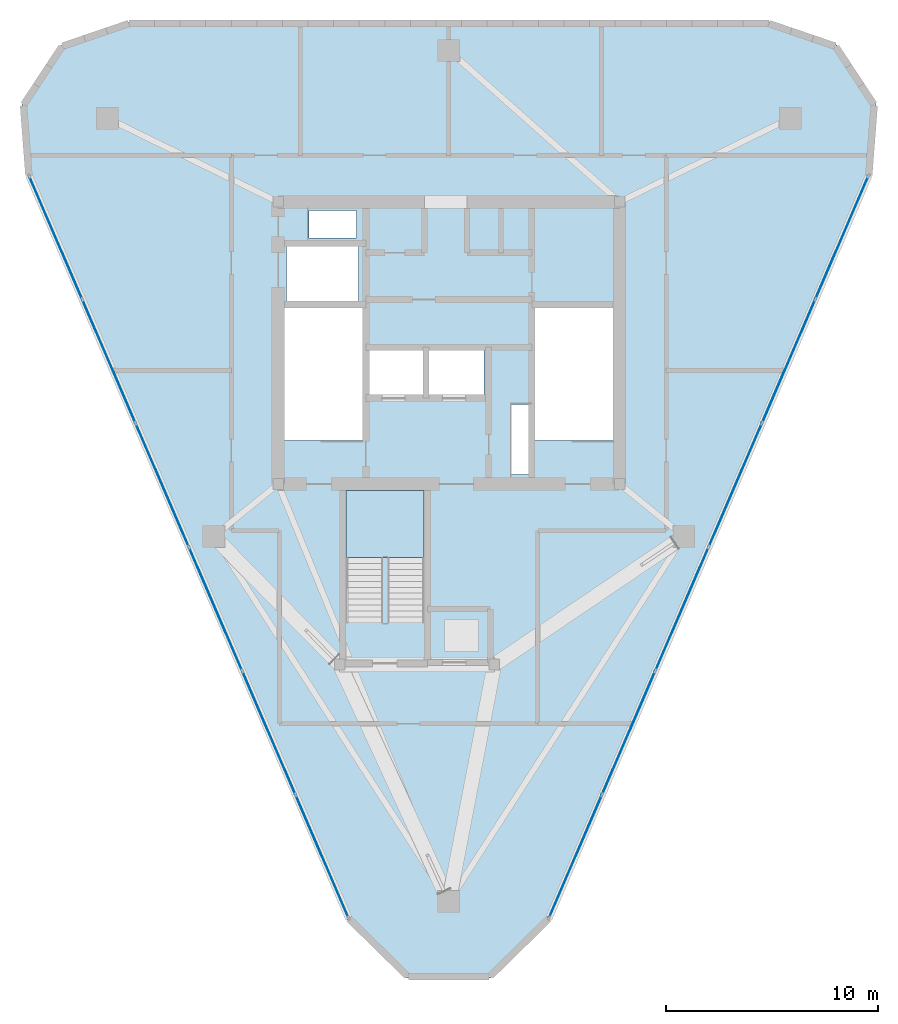
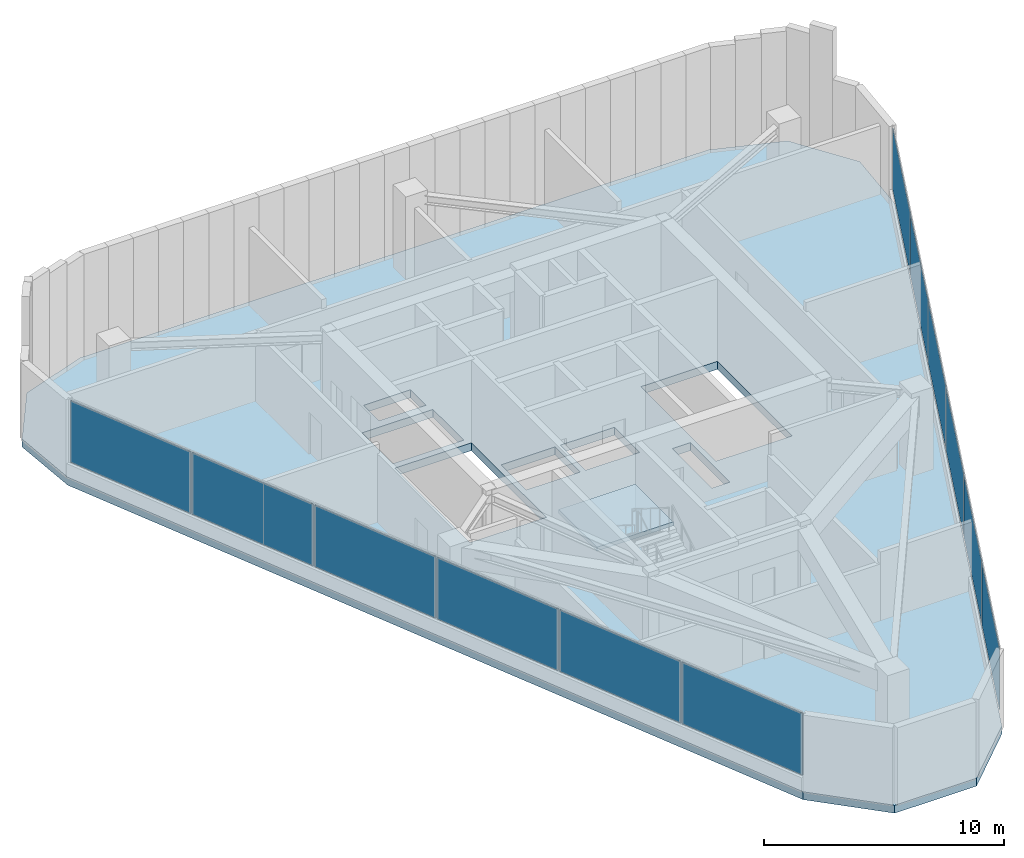
# One storey, part 4 of 9: 12 plates, 2 slabs, 3 elements without a shape of their own.
"""IFC4 building model written with IfcOpenShell, lengths in metres."""

from ifc_helpers import new_model, si_unit, direction, frame, origin, origin_2d, place, context, subcontext, project, spatial, polyline, rectangle, outline, extrude, material, layer, layer_set, type_object, element, aggregate, save


model = new_model("IFC4")

# Units and contexts
model_context = context("Model", 3, precision=1e-05, world=origin(), true_north=direction((0.0, 1.0)))
body_context = subcontext(model_context, "Body", "Model", "MODEL_VIEW")
ifc_project = project(units=[si_unit("LENGTHUNIT", "METRE"), si_unit("AREAUNIT", "SQUARE_METRE"), si_unit("VOLUMEUNIT", "CUBIC_METRE"), si_unit("PLANEANGLEUNIT", "RADIAN"), si_unit("MASSUNIT", "GRAM", prefix="KILO")], contexts=[model_context])

# Site, building, storey
site_placement = place(None, origin())
site = spatial("IfcSite", under=ifc_project, at=site_placement, CompositionType="ELEMENT")
building_placement = place(site_placement, origin())
building = spatial("IfcBuilding", under=site, at=building_placement, Name="Talyreon Biosciences Tower", CompositionType="ELEMENT")
storey_placement = place(building_placement, frame((0.0, 0.0, 317.199951171875)))
storey = spatial("IfcBuildingStorey", under=building, at=storey_placement, Name="L84", CompositionType="ELEMENT", Elevation=317.199951171875)

# Curtain wall, plates
ifc_material_1 = material(Name="Thermally broken aluminium and low-E glazing", Category="aluminium")
ifc_layer_1 = layer(ifc_material_1, 0.2099609375)
ifc_layer_set_1 = layer_set([ifc_layer_1], Name="Thermally broken aluminium and low-E glazing")
curtain_wall_type = type_object("IfcCurtainWallType", Name="CurtainWall_SlantedCrown", PredefinedType="NOTDEFINED", material=ifc_layer_set_1)
curtain_wall_1_placement = place(storey_placement, origin())
curtain_wall_1 = element("IfcCurtainWall", 1, at=curtain_wall_1_placement, inside=storey, type_object=curtain_wall_type, Name="L84 Unitised Curtain Wall FCW-L84-07C", PredefinedType="NOTDEFINED")
ifc_material_2 = material(Name="Acoustic laminated low-E insulated glazing", Category="glass")
ifc_layer_2 = layer(ifc_material_2, 0.0380859375)
ifc_layer_set_2 = layer_set([ifc_layer_2], Name="Acoustic laminated low-E insulated glazing")
plate_type = type_object("IfcPlateType", Name="CWGlazingPanel_38", PredefinedType="CURTAIN_PANEL", material=ifc_layer_set_2)
plate_1_placement = place(storey_placement, frame((84.53271484375, 72.96435546875, 0.775146484375), z_axis=(0.0, 0.0, 1.0), x_axis=(-0.395450642447, -0.918487228756, 0.0)))
plate_1 = element("IfcPlate", 2, at=plate_1_placement, type_object=plate_type, Name="CW8 panel 1.1", PredefinedType="CURTAIN_PANEL", context=body_context, shape_type="SweptSolid", body=[
    extrude(rectangle(XDim=6.246826171875, YDim=0.0380859375, at=origin_2d()), origin(), (0.0, 0.0, 1.0), 3.125),
])
plate_2_placement = place(storey_placement, frame((82.025146484375, 67.140625, 0.775146484375), z_axis=(0.0, 0.0, 1.0), x_axis=(-0.395450642447, -0.918487228756, 0.0)))
plate_2 = element("IfcPlate", 3, at=plate_2_placement, type_object=plate_type, Name="CW8 panel 2.1", PredefinedType="CURTAIN_PANEL", context=body_context, shape_type="SweptSolid", body=[
    extrude(rectangle(XDim=6.2841796875, YDim=0.0380859375, at=origin_2d()), origin(), (0.0, 0.0, 1.0), 3.125),
])
plate_3_placement = place(storey_placement, frame((79.510498046875, 61.2998046875, 0.775146484375), z_axis=(0.0, 0.0, 1.0), x_axis=(-0.395450642447, -0.918487228756, 0.0)))
plate_3 = element("IfcPlate", 4, at=plate_3_placement, type_object=plate_type, Name="CW8 panel 3.1", PredefinedType="CURTAIN_PANEL", context=body_context, shape_type="SweptSolid", body=[
    extrude(rectangle(XDim=6.2841796875, YDim=0.0380859375, at=origin_2d()), origin(), (0.0, 0.0, 1.0), 3.125),
])
plate_4_placement = place(storey_placement, frame((76.99560546875, 55.458740234375, 0.775146484375), z_axis=(0.0, 0.0, 1.0), x_axis=(-0.395450642447, -0.918487228756, 0.0)))
plate_4 = element("IfcPlate", 5, at=plate_4_placement, type_object=plate_type, Name="CW8 panel 4.1", PredefinedType="CURTAIN_PANEL", context=body_context, shape_type="SweptSolid", body=[
    extrude(rectangle(XDim=6.2841796875, YDim=0.0380859375, at=origin_2d()), origin(), (0.0, 0.0, 1.0), 3.125),
])
plate_5_placement = place(storey_placement, frame((74.48095703125, 49.617919921875, 0.775146484375), z_axis=(0.0, 0.0, 1.0), x_axis=(-0.395450642447, -0.918487228756, 0.0)))
plate_5 = element("IfcPlate", 6, at=plate_5_placement, type_object=plate_type, Name="CW8 panel 5.1", PredefinedType="CURTAIN_PANEL", context=body_context, shape_type="SweptSolid", body=[
    extrude(rectangle(XDim=6.2841796875, YDim=0.0380859375, at=origin_2d()), origin(), (0.0, 0.0, 1.0), 3.125),
])
plate_6_placement = place(storey_placement, frame((71.9736328125, 43.794189453125, 0.775146484375), z_axis=(0.0, 0.0, 1.0), x_axis=(-0.395450642447, -0.918487228756, 0.0)))
plate_6 = element("IfcPlate", 7, at=plate_6_placement, type_object=plate_type, Name="CW8 panel 6.1", PredefinedType="CURTAIN_PANEL", context=body_context, shape_type="SweptSolid", body=[
    extrude(rectangle(XDim=6.246826171875, YDim=0.0380859375, at=origin_2d()), origin(), (0.0, 0.0, 1.0), 3.125),
])
aggregate(curtain_wall_1, [plate_1, plate_2, plate_3, plate_4, plate_5, plate_6])

curtain_wall_2_placement = place(storey_placement, origin())
curtain_wall_2 = element("IfcCurtainWall", 8, at=curtain_wall_2_placement, inside=storey, type_object=curtain_wall_type, Name="L84 Unitised Curtain Wall FCW-L84-11C", PredefinedType="NOTDEFINED")
plate_7_placement = place(storey_placement, frame((60.0263671875, 43.794189453125, 0.775146484375), z_axis=(0.0, 0.0, 1.0), x_axis=(-0.395450642447, 0.918487228756, 0.0)))
plate_7 = element("IfcPlate", 9, at=plate_7_placement, type_object=plate_type, Name="CW8 panel 1.1", PredefinedType="CURTAIN_PANEL", context=body_context, shape_type="SweptSolid", body=[
    extrude(rectangle(XDim=6.246826171875, YDim=0.0380859375, at=origin_2d()), origin(), (0.0, 0.0, 1.0), 3.125),
])
plate_8_placement = place(storey_placement, frame((57.51904296875, 49.617919921875, 0.775146484375), z_axis=(0.0, 0.0, 1.0), x_axis=(-0.395450642447, 0.918487228756, 0.0)))
plate_8 = element("IfcPlate", 10, at=plate_8_placement, type_object=plate_type, Name="CW8 panel 2.1", PredefinedType="CURTAIN_PANEL", context=body_context, shape_type="SweptSolid", body=[
    extrude(rectangle(XDim=6.2841796875, YDim=0.0380859375, at=origin_2d()), origin(), (0.0, 0.0, 1.0), 3.125),
])
plate_9_placement = place(storey_placement, frame((55.00439453125, 55.458740234375, 0.775146484375), z_axis=(0.0, 0.0, 1.0), x_axis=(-0.395450642447, 0.918487228756, 0.0)))
plate_9 = element("IfcPlate", 11, at=plate_9_placement, type_object=plate_type, Name="CW8 panel 3.1", PredefinedType="CURTAIN_PANEL", context=body_context, shape_type="SweptSolid", body=[
    extrude(rectangle(XDim=6.2841796875, YDim=0.0380859375, at=origin_2d()), origin(), (0.0, 0.0, 1.0), 3.125),
])
plate_10_placement = place(storey_placement, frame((52.489501953125, 61.2998046875, 0.775146484375), z_axis=(0.0, 0.0, 1.0), x_axis=(-0.395450642447, 0.918487228756, 0.0)))
plate_10 = element("IfcPlate", 12, at=plate_10_placement, type_object=plate_type, Name="CW8 panel 4.1", PredefinedType="CURTAIN_PANEL", context=body_context, shape_type="SweptSolid", body=[
    extrude(rectangle(XDim=6.2841796875, YDim=0.0380859375, at=origin_2d()), origin(), (0.0, 0.0, 1.0), 3.125),
])
plate_11_placement = place(storey_placement, frame((49.974853515625, 67.140625, 0.775146484375), z_axis=(0.0, 0.0, 1.0), x_axis=(-0.395450642447, 0.918487228756, 0.0)))
plate_11 = element("IfcPlate", 13, at=plate_11_placement, type_object=plate_type, Name="CW8 panel 5.1", PredefinedType="CURTAIN_PANEL", context=body_context, shape_type="SweptSolid", body=[
    extrude(rectangle(XDim=6.2841796875, YDim=0.0380859375, at=origin_2d()), origin(), (0.0, 0.0, 1.0), 3.125),
])
plate_12_placement = place(storey_placement, frame((47.46728515625, 72.96435546875, 0.775146484375), z_axis=(0.0, 0.0, 1.0), x_axis=(-0.395450642447, 0.918487228756, 0.0)))
plate_12 = element("IfcPlate", 14, at=plate_12_placement, type_object=plate_type, Name="CW8 panel 6.1", PredefinedType="CURTAIN_PANEL", context=body_context, shape_type="SweptSolid", body=[
    extrude(rectangle(XDim=6.246826171875, YDim=0.0380859375, at=origin_2d()), origin(), (0.0, 0.0, 1.0), 3.125),
])
aggregate(curtain_wall_2, [plate_7, plate_8, plate_9, plate_10, plate_11, plate_12])

# Stair, slab
ifc_material_3 = material(Name="Concrete C40/50", Category="concrete")
stair_type = type_object("IfcStairType", Name="DoglegEscapeStair_4200", PredefinedType="HALF_TURN_STAIR", material=ifc_material_3)
stair_placement = place(storey_placement, origin())
stair = element("IfcStair", 15, at=stair_placement, inside=storey, type_object=stair_type, Name="L84 Crown Internal Escape Stair 4", PredefinedType="HALF_TURN_STAIR")
ifc_layer_3 = layer(ifc_material_3, 0.199951171875)
ifc_layer_set_3 = layer_set([ifc_layer_3], Name="Concrete C40/50")
slab_type_1 = type_object("IfcSlabType", Name="StairLandingSlab_200", PredefinedType="LANDING", material=ifc_layer_set_3)
slab_1_placement = place(storey_placement, frame((0.0, 0.0, 1.900146484375)))
slab_1 = element("IfcSlab", 16, at=slab_1_placement, type_object=slab_type_1, Name="ST-4 landing 1", PredefinedType="LANDING", context=body_context, shape_type="SweptSolid", body=[
    extrude(outline(polyline([(64.840087890625, 57.8798828125), (64.840087890625, 61.050048828125), (61.159912109375, 61.050048828125), (61.159912109375, 57.8798828125), (64.840087890625, 57.8798828125)])), origin(), (0.0, 0.0, 1.0), 0.199951171875),
])
aggregate(stair, [slab_1])

# Slab
ifc_material_4 = material(Name="Concrete C50/60", Category="concrete")
ifc_layer_4 = layer(ifc_material_4, 0.39990234375)
ifc_layer_set_4 = layer_set([ifc_layer_4], Name="Concrete C50/60")
slab_type_2 = type_object("IfcSlabType", Name="TransferDeckSlab_400", PredefinedType="FLOOR", material=ifc_layer_set_4)
slab_2_placement = place(storey_placement, frame((0.0, 0.0, -0.39990234375)))
element("IfcSlab", 17, at=slab_2_placement, inside=storey, type_object=slab_type_2, Name="L84 Structural Floor Slab", PredefinedType="FLOOR", context=body_context, shape_type="SweptSolid", body=[
    extrude(outline(polyline([(46.123779296875, 75.882568359375), (45.864990234375, 79.23828125), (47.71533203125, 82.049560546875), (50.89990234375, 83.138916015625), (81.10009765625, 83.138916015625), (84.28466796875, 82.049560546875), (86.135009765625, 79.23828125), (85.876220703125, 75.882568359375), (70.776123046875, 40.810546875), (67.9677734375, 38.053466796875), (64.0322265625, 38.053466796875), (61.223876953125, 40.810546875), (46.123779296875, 75.882568359375)]), holes=[polyline([(68.9599609375, 65.10009765625), (69.820068359375, 65.10009765625), (69.820068359375, 61.800048828125), (68.9599609375, 61.800048828125), (68.9599609375, 65.10009765625)]), polyline([(61.929931640625, 69.64990234375), (61.929931640625, 63.407958984375), (58.25, 63.407958984375), (58.25, 69.64990234375), (61.929931640625, 69.64990234375)]), polyline([(73.75, 69.64990234375), (73.75, 63.407958984375), (70.070068359375, 63.407958984375), (70.070068359375, 69.64990234375), (73.75, 69.64990234375)]), polyline([(64.800048828125, 67.64990234375), (64.800048828125, 65.550048828125), (62.199951171875, 65.550048828125), (62.199951171875, 67.64990234375), (64.800048828125, 67.64990234375)]), polyline([(67.64990234375, 67.64990234375), (67.64990234375, 65.550048828125), (65.050048828125, 65.550048828125), (65.050048828125, 67.64990234375), (67.64990234375, 67.64990234375)]), polyline([(61.75, 72.550048828125), (61.75, 69.97998046875), (58.35009765625, 69.97998046875), (58.35009765625, 72.550048828125), (61.75, 72.550048828125)]), polyline([(61.64990234375, 74.25), (61.64990234375, 72.9599609375), (59.39990234375, 72.9599609375), (59.39990234375, 74.25), (61.64990234375, 74.25)])]), origin(), (0.0, 0.0, 1.0), 0.39990234375),
])

save(model, "model.ifc")
